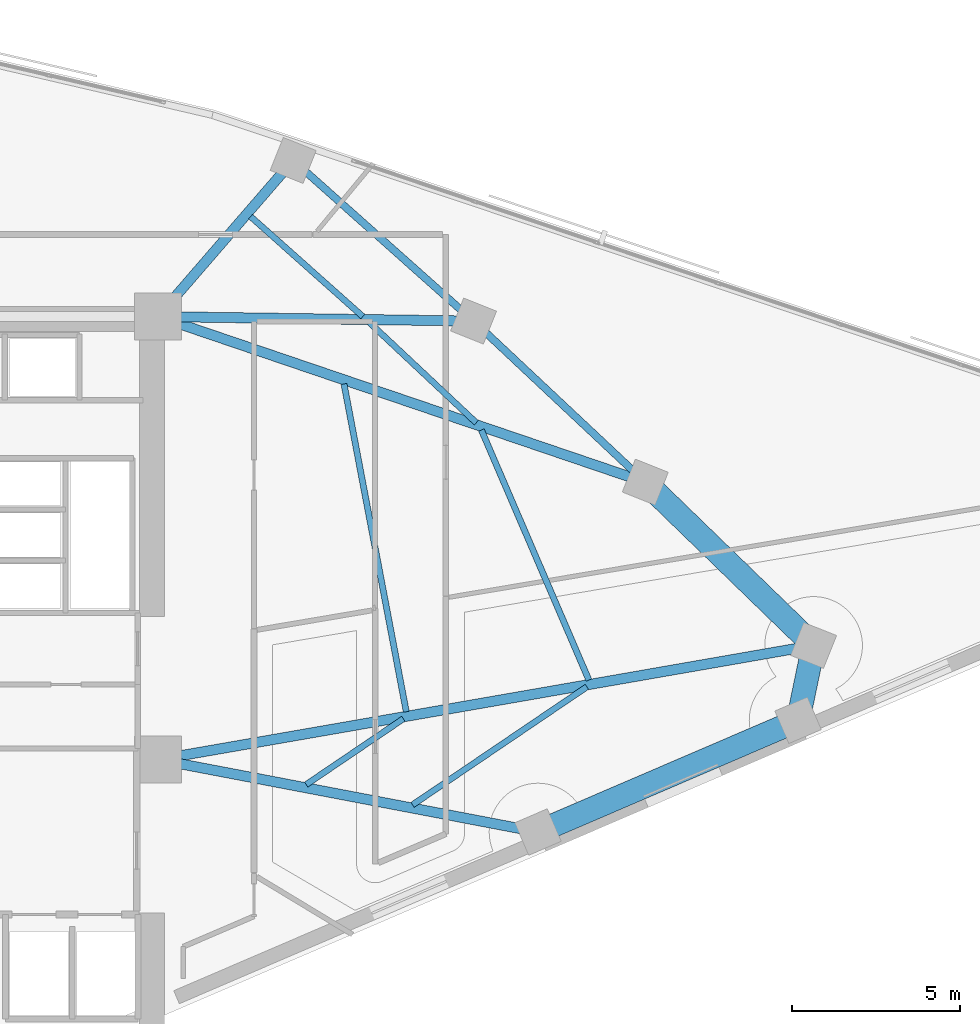
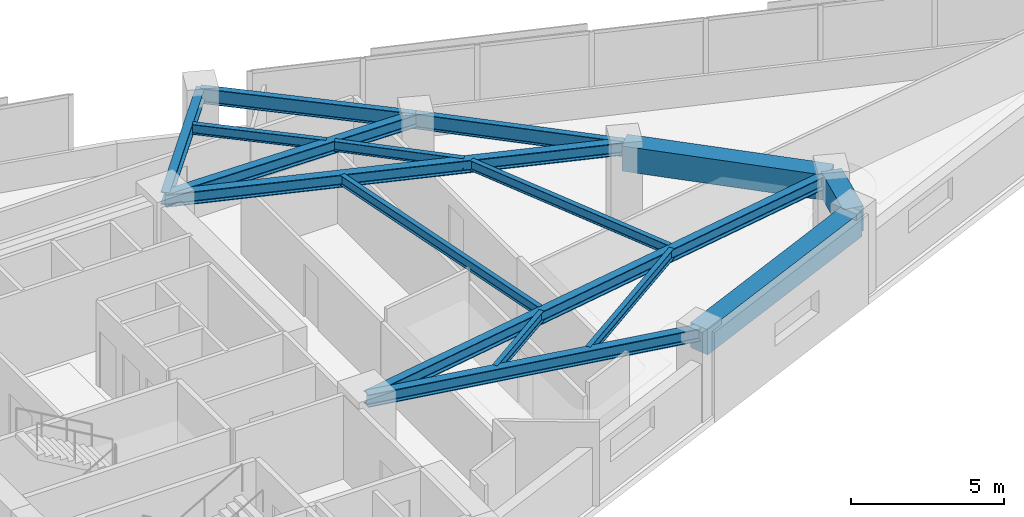
# One storey, part 3 of 14: 16 beams.
"""IFC4 building model written with IfcOpenShell, lengths in metres."""

from ifc_helpers import new_model, si_unit, direction, frame, origin, origin_2d, place, context, subcontext, project, spatial, rectangle, i_section, extrude, material, material_profile, profile_set, type_object, element, save


model = new_model("IFC4")

# Units and contexts
model_context = context("Model", 3, precision=1e-05, world=origin(), true_north=direction((0.0, 1.0)))
body_context = subcontext(model_context, "Body", "Model", "MODEL_VIEW")
ifc_project = project(units=[si_unit("LENGTHUNIT", "METRE"), si_unit("AREAUNIT", "SQUARE_METRE"), si_unit("VOLUMEUNIT", "CUBIC_METRE"), si_unit("PLANEANGLEUNIT", "RADIAN"), si_unit("MASSUNIT", "GRAM", prefix="KILO")], contexts=[model_context])

# Site, building, storey
site_placement = place(None, origin())
site = spatial("IfcSite", under=ifc_project, at=site_placement, CompositionType="ELEMENT")
building_placement = place(site_placement, origin())
building = spatial("IfcBuilding", under=site, at=building_placement, Name="Narakoshi Arena Tower", CompositionType="ELEMENT")
storey_placement = place(building_placement, frame((0.0, 0.0, 168.300048828125)))
storey = spatial("IfcBuildingStorey", under=building, at=storey_placement, Name="L45", CompositionType="ELEMENT", Elevation=168.300048828125)

# Beams
ifc_material_1 = material(Name="Concrete C60/75", Category="concrete")
ifc_material_profile_1 = material_profile(ifc_material_1, rectangle(XDim=0.699951171875, YDim=1.0, at=origin_2d()), Name="RCB700x1000")
ifc_profile_set_1 = profile_set([ifc_material_profile_1], Name="Concrete C60/75")
beam_type_1 = type_object("IfcBeamType", Name="BM-CPL-1000", PredefinedType="BEAM", material=ifc_profile_set_1)
beam_1_placement = place(storey_placement, frame((96.830078125, 41.2001953125, 2.83984375), z_axis=(0.918792947441, 0.394739812703, 0.0), x_axis=(-0.394739812703, 0.918792947441, 0.0)))
element("IfcBeam", 1, at=beam_1_placement, inside=storey, type_object=beam_type_1, Name="L45 Perimeter Edge Girder 01", PredefinedType="BEAM", context=body_context, shape_type="SweptSolid", body=[
    extrude(rectangle(XDim=0.699951171875, YDim=1.0, at=origin_2d()), origin(), (0.0, 0.0, 1.0), 8.401611328125),
])
beam_2_placement = place(storey_placement, frame((104.54931640625, 44.5166015625, 2.83984375), z_axis=(0.203000450605, 0.979178644096, 0.0), x_axis=(-0.979178644096, 0.203000450605, 0.0)))
element("IfcBeam", 2, at=beam_2_placement, inside=storey, type_object=beam_type_1, Name="L45 Perimeter Edge Girder 02", PredefinedType="BEAM", context=body_context, shape_type="SweptSolid", body=[
    extrude(rectangle(XDim=0.699951171875, YDim=1.0, at=origin_2d()), origin(), (0.0, 0.0, 1.0), 2.26953125),
])
beam_3_placement = place(storey_placement, frame((105.010009765625, 46.73876953125, 2.83984375), z_axis=(-0.717826032278, 0.696222512839, 0.0), x_axis=(-0.696222512839, -0.717826032278, 0.0)))
element("IfcBeam", 3, at=beam_3_placement, inside=storey, type_object=beam_type_1, Name="L45 Perimeter Edge Girder 03", PredefinedType="BEAM", context=body_context, shape_type="SweptSolid", body=[
    extrude(rectangle(XDim=0.699951171875, YDim=1.0, at=origin_2d()), origin(), (0.0, 0.0, 1.0), 6.96142578125),
])
ifc_material_2 = material(Name="Structural steel S355J2", Category="steel")
ifc_material_profile_2 = material_profile(ifc_material_2, i_section(OverallWidth=0.219970703125, OverallDepth=0.60009765625, WebThickness=0.011962890625, FlangeThickness=0.01904296875, FilletRadius=0.02392578125, at=origin_2d()), Name="IPE600")
ifc_profile_set_2 = profile_set([ifc_material_profile_2], Name="Structural steel S355J2")
beam_type_2 = type_object("IfcBeamType", Name="BM-EDGE-600", PredefinedType="BEAM", material=ifc_profile_set_2)
beam_4_placement = place(storey_placement, frame((100.012939453125, 51.58544921875, 3.0400390625), z_axis=(-0.729413011888, 0.684073576517, 0.0), x_axis=(-0.684073576517, -0.729413011888, 0.0)))
element("IfcBeam", 4, at=beam_4_placement, inside=storey, type_object=beam_type_2, Name="L45 Perimeter Edge Girder 04", PredefinedType="BEAM", context=body_context, shape_type="SweptSolid", body=[
    extrude(i_section(OverallWidth=0.219970703125, OverallDepth=0.60009765625, WebThickness=0.011962890625, FlangeThickness=0.01904296875, FilletRadius=0.02392578125, at=origin_2d()), origin(), (0.0, 0.0, 1.0), 6.9892578125),
])
beam_5_placement = place(storey_placement, frame((94.914794921875, 56.36669921875, 3.0400390625), z_axis=(-0.746743797071, 0.665111796269, 0.0), x_axis=(-0.665111796269, -0.746743797071, 0.0)))
element("IfcBeam", 5, at=beam_5_placement, inside=storey, type_object=beam_type_2, Name="L45 Perimeter Edge Girder 05", PredefinedType="BEAM", context=body_context, shape_type="SweptSolid", body=[
    extrude(i_section(OverallWidth=0.219970703125, OverallDepth=0.60009765625, WebThickness=0.011962890625, FlangeThickness=0.01904296875, FilletRadius=0.02392578125, at=origin_2d()), origin(), (0.0, 0.0, 1.0), 7.168701171875),
])
ifc_material_profile_3 = material_profile(ifc_material_2, i_section(OverallWidth=0.300048828125, OverallDepth=0.5, WebThickness=0.014404296875, FlangeThickness=0.028076171875, FilletRadius=0.027099609375, at=origin_2d()), Name="HE500B")
ifc_profile_set_3 = profile_set([ifc_material_profile_3], Name="Structural steel S355J2")
beam_type_3 = type_object("IfcBeamType", Name="BM-PRI-500", PredefinedType="BEAM", material=ifc_profile_set_3)
beam_6_placement = place(storey_placement, frame((85.550048828125, 43.35009765625, 3.08984375), z_axis=(0.982317345732, -0.187223482166, 0.0), x_axis=(0.187223482166, 0.982317345732, 0.0)))
element("IfcBeam", 6, at=beam_6_placement, inside=storey, type_object=beam_type_3, Name="L45 Radial Primary Floor Girder 01", PredefinedType="BEAM", context=body_context, shape_type="SweptSolid", body=[
    extrude(i_section(OverallWidth=0.300048828125, OverallDepth=0.5, WebThickness=0.014404296875, FlangeThickness=0.028076171875, FilletRadius=0.027099609375, at=origin_2d()), origin(), (0.0, 0.0, 1.0), 11.483154296875),
])
beam_7_placement = place(storey_placement, frame((85.550048828125, 43.35009765625, 3.08984375), z_axis=(0.985174720478, 0.171553986052, 0.0), x_axis=(-0.171553986052, 0.985174720478, 0.0)))
element("IfcBeam", 7, at=beam_7_placement, inside=storey, type_object=beam_type_3, Name="L45 Radial Primary Floor Girder 03", PredefinedType="BEAM", context=body_context, shape_type="SweptSolid", body=[
    extrude(i_section(OverallWidth=0.300048828125, OverallDepth=0.5, WebThickness=0.014404296875, FlangeThickness=0.028076171875, FilletRadius=0.027099609375, at=origin_2d()), origin(), (0.0, 0.0, 1.0), 19.752685546875),
])
beam_8_placement = place(storey_placement, frame((85.550048828125, 56.5, 3.08984375), z_axis=(0.94682923499, -0.321736537818, 0.0), x_axis=(0.321736537818, 0.94682923499, 0.0)))
element("IfcBeam", 8, at=beam_8_placement, inside=storey, type_object=beam_type_3, Name="L45 Radial Primary Floor Girder 04", PredefinedType="BEAM", context=body_context, shape_type="SweptSolid", body=[
    extrude(i_section(OverallWidth=0.300048828125, OverallDepth=0.5, WebThickness=0.014404296875, FlangeThickness=0.028076171875, FilletRadius=0.027099609375, at=origin_2d()), origin(), (0.0, 0.0, 1.0), 15.275146484375),
])
beam_9_placement = place(storey_placement, frame((85.550048828125, 56.5, 3.08984375), z_axis=(0.999898707477, -0.014232876956, 0.0), x_axis=(0.014232876956, 0.999898707477, 0.0)))
element("IfcBeam", 9, at=beam_9_placement, inside=storey, type_object=beam_type_3, Name="L45 Radial Primary Floor Girder 05", PredefinedType="BEAM", context=body_context, shape_type="SweptSolid", body=[
    extrude(i_section(OverallWidth=0.300048828125, OverallDepth=0.5, WebThickness=0.014404296875, FlangeThickness=0.028076171875, FilletRadius=0.027099609375, at=origin_2d()), origin(), (0.0, 0.0, 1.0), 9.36572265625),
])
beam_10_placement = place(storey_placement, frame((85.550048828125, 56.5, 3.08984375), z_axis=(0.654434553487, 0.756118651537, 0.0), x_axis=(-0.756118651537, 0.654434553487, 0.0)))
element("IfcBeam", 10, at=beam_10_placement, inside=storey, type_object=beam_type_3, Name="L45 Radial Primary Floor Girder 06", PredefinedType="BEAM", context=body_context, shape_type="SweptSolid", body=[
    extrude(i_section(OverallWidth=0.300048828125, OverallDepth=0.5, WebThickness=0.014404296875, FlangeThickness=0.028076171875, FilletRadius=0.027099609375, at=origin_2d()), origin(), (0.0, 0.0, 1.0), 6.129638671875),
])
ifc_material_profile_4 = material_profile(ifc_material_2, i_section(OverallWidth=0.179931640625, OverallDepth=0.39990234375, WebThickness=0.008544921875, FlangeThickness=0.013427734375, FilletRadius=0.02099609375, at=origin_2d()), Name="IPE400")
ifc_profile_set_4 = profile_set([ifc_material_profile_4], Name="Structural steel S355J2")
beam_type_4 = type_object("IfcBeamType", Name="BM-SEC-400", PredefinedType="JOIST", material=ifc_profile_set_4)
beam_11_placement = place(storey_placement, frame((89.9482421875, 42.608642578125, 3.139892578125), z_axis=(0.828028888203, 0.560685437924, 0.0), x_axis=(-0.560685437924, 0.828028888203, 0.0)))
element("IfcBeam", 11, at=beam_11_placement, inside=storey, type_object=beam_type_4, Name="L45 Composite Secondary Floor Joist 01", PredefinedType="JOIST", context=body_context, shape_type="SweptSolid", body=[
    extrude(i_section(OverallWidth=0.179931640625, OverallDepth=0.39990234375, WebThickness=0.008544921875, FlangeThickness=0.013427734375, FilletRadius=0.02099609375, at=origin_2d()), origin(), (0.0, 0.0, 1.0), 3.48388671875),
])
beam_12_placement = place(storey_placement, frame((93.106689453125, 42.0068359375, 3.139892578125), z_axis=(0.828032186591, 0.560680566785, 0.0), x_axis=(-0.560680566785, 0.828032186591, 0.0)))
element("IfcBeam", 12, at=beam_12_placement, inside=storey, type_object=beam_type_4, Name="L45 Composite Secondary Floor Joist 02", PredefinedType="JOIST", context=body_context, shape_type="SweptSolid", body=[
    extrude(i_section(OverallWidth=0.179931640625, OverallDepth=0.39990234375, WebThickness=0.008544921875, FlangeThickness=0.013427734375, FilletRadius=0.02099609375, at=origin_2d()), origin(), (0.0, 0.0, 1.0), 6.249755859375),
])
beam_13_placement = place(storey_placement, frame((92.919677734375, 44.7705078125, 3.139892578125), z_axis=(-0.186663500969, 0.982423909219, 0.0), x_axis=(-0.982423909219, -0.186663500969, 0.0)))
element("IfcBeam", 13, at=beam_13_placement, inside=storey, type_object=beam_type_4, Name="L45 Composite Secondary Floor Joist 03", PredefinedType="JOIST", context=body_context, shape_type="SweptSolid", body=[
    extrude(i_section(OverallWidth=0.179931640625, OverallDepth=0.39990234375, WebThickness=0.008544921875, FlangeThickness=0.013427734375, FilletRadius=0.02099609375, at=origin_2d()), origin(), (0.0, 0.0, 1.0), 9.903564453125),
])
beam_14_placement = place(storey_placement, frame((98.340087890625, 45.710693359375, 3.139892578125), z_axis=(-0.395038717544, 0.918664471742, 0.0), x_axis=(-0.918664471742, -0.395038717544, 0.0)))
element("IfcBeam", 14, at=beam_14_placement, inside=storey, type_object=beam_type_4, Name="L45 Composite Secondary Floor Joist 04", PredefinedType="JOIST", context=body_context, shape_type="SweptSolid", body=[
    extrude(i_section(OverallWidth=0.179931640625, OverallDepth=0.39990234375, WebThickness=0.008544921875, FlangeThickness=0.013427734375, FilletRadius=0.02099609375, at=origin_2d()), origin(), (0.0, 0.0, 1.0), 8.07861328125),
])
beam_15_placement = place(storey_placement, frame((94.9970703125, 53.348876953125, 3.139892578125), z_axis=(-0.729453050593, 0.684030881598, 0.0), x_axis=(-0.684030881598, -0.729453050593, 0.0)))
element("IfcBeam", 15, at=beam_15_placement, inside=storey, type_object=beam_type_4, Name="L45 Composite Secondary Floor Joist 05", PredefinedType="JOIST", context=body_context, shape_type="SweptSolid", body=[
    extrude(i_section(OverallWidth=0.179931640625, OverallDepth=0.39990234375, WebThickness=0.008544921875, FlangeThickness=0.013427734375, FilletRadius=0.02099609375, at=origin_2d()), origin(), (0.0, 0.0, 1.0), 4.343017578125),
])
beam_16_placement = place(storey_placement, frame((91.6298828125, 56.501708984375, 3.139892578125), z_axis=(-0.746726556719, 0.665131152097, 0.0), x_axis=(-0.665131152097, -0.746726556719, 0.0)))
element("IfcBeam", 16, at=beam_16_placement, inside=storey, type_object=beam_type_4, Name="L45 Composite Secondary Floor Joist 06", PredefinedType="JOIST", context=body_context, shape_type="SweptSolid", body=[
    extrude(i_section(OverallWidth=0.179931640625, OverallDepth=0.39990234375, WebThickness=0.008544921875, FlangeThickness=0.013427734375, FilletRadius=0.02099609375, at=origin_2d()), origin(), (0.0, 0.0, 1.0), 4.461181640625),
])

save(model, "model.ifc")
